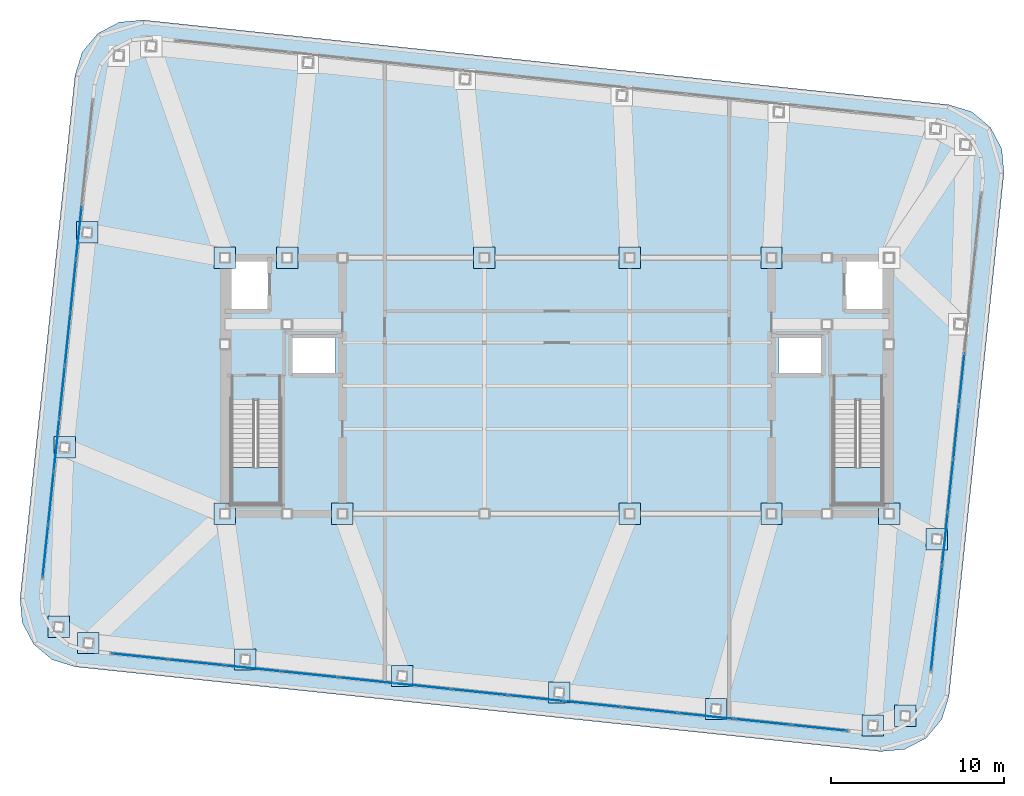
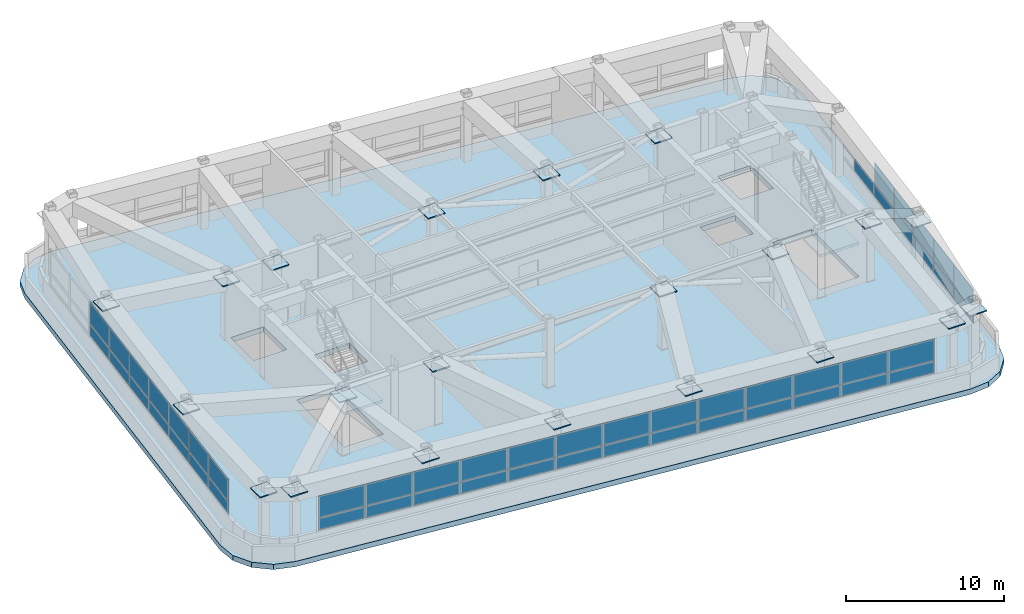
# One storey, part 17 of 22: 72 plates, 3 slabs, 5 elements without a shape of their own.
"""IFC4 building model written with IfcOpenShell, lengths in metres."""

from ifc_helpers import new_model, si_unit, direction, frame, origin, origin_2d, place, context, subcontext, project, spatial, polyline, rectangle, outline, extrude, material, layer, layer_set, type_object, element, aggregate, save


model = new_model("IFC4")

# Units and contexts
model_context = context("Model", 3, precision=1e-05, world=origin(), true_north=direction((0.0, 1.0)))
body_context = subcontext(model_context, "Body", "Model", "MODEL_VIEW")
ifc_project = project(units=[si_unit("LENGTHUNIT", "METRE"), si_unit("AREAUNIT", "SQUARE_METRE"), si_unit("VOLUMEUNIT", "CUBIC_METRE"), si_unit("PLANEANGLEUNIT", "RADIAN"), si_unit("MASSUNIT", "GRAM", prefix="KILO")], contexts=[model_context])

# Site, building, storey
site_placement = place(None, origin())
site = spatial("IfcSite", under=ifc_project, at=site_placement, CompositionType="ELEMENT")
building_placement = place(site_placement, origin())
building = spatial("IfcBuilding", under=site, at=building_placement, Name="Voryun Gate Residences", CompositionType="ELEMENT")
storey_placement = place(building_placement, frame((0.0, 0.0, 310.699951171875)))
storey = spatial("IfcBuildingStorey", under=building, at=storey_placement, Name="L77", CompositionType="ELEMENT", Elevation=310.699951171875)

# Plates
ifc_material_1 = material(Name="Steel SM355", Category="steel")
ifc_layer_1 = layer(ifc_material_1, 0.02490234375, Name="PLT_END_CAP_25")
ifc_layer_set_1 = layer_set([ifc_layer_1], Name="Steel SM355")
plate_type_1 = type_object("IfcPlateType", Name="PLT_END_CAP_25", PredefinedType="USERDEFINED", material=ifc_layer_set_1)
for number, where, z_axis, x_axis, name in (
    (1, (-27.088623046875, -14.87158203125, 4.43505859375), (0.0, 0.0, 1.0), (1.0, 0.0, 0.0), "L77 Hollow Member End-Cap Plate EC-913"),
    (2, (-18.0185546875, -15.824951171875, 4.43505859375), (0.0, 0.0, 1.0), (1.0, 0.0, 0.0), "L77 Hollow Member End-Cap Plate EC-914"),
    (3, (-8.948486328125, -16.7783203125, 4.43505859375), (0.0, 0.0, 1.0), (1.0, 0.0, 0.0), "L77 Hollow Member End-Cap Plate EC-915"),
    (4, (0.12158203125, -17.731689453125, 4.43505859375), (0.0, 0.0, 1.0), (1.0, 0.0, 0.0), "L77 Hollow Member End-Cap Plate EC-916"),
    (5, (9.19140625, -18.684814453125, 4.43505859375), (0.0, 0.0, 1.0), (1.0, 0.0, 0.0), "L77 Hollow Member End-Cap Plate EC-917"),
    (6, (18.261474609375, -19.63818359375, 4.43505859375), (0.0, 0.0, 1.0), (1.0, 0.0, 0.0), "L77 Hollow Member End-Cap Plate EC-918"),
    (7, (20.1328125, -19.083984375, 4.43505859375), (0.0, 0.0, 1.0), (1.0, 0.0, 0.0), "L77 Hollow Member End-Cap Plate EC-919"),
    (8, (21.958251953125, -8.861572265625, 4.43505859375), (0.0, 0.0, 1.0), (1.0, 0.0, 0.0), "L77 Hollow Member End-Cap Plate EC-920"),
    (9, (-27.158203125, 8.861572265625, 4.43505859375), (0.0, 0.0, 1.0), (1.0, 0.0, 0.0), "L77 Hollow Member End-Cap Plate EC-930"),
    (10, (-28.464111328125, -3.56201171875, 4.43505859375), (0.0, 0.0, 1.0), (1.0, 0.0, 0.0), "L77 Hollow Member End-Cap Plate EC-931"),
    (11, (-28.8037109375, -13.9404296875, 4.43505859375), (0.0, 0.0, 1.0), (1.0, 0.0, 0.0), "L77 Hollow Member End-Cap Plate EC-932"),
    (12, (-19.199951171875, -7.39990234375, 4.43505859375), (0.0, 0.0, 1.0), (1.0, 0.0, 0.0), "L77 Hollow Member End-Cap Plate EC-933"),
    (13, (-12.39990234375, -7.39990234375, 4.43505859375), (0.0, 0.0, 1.0), (1.0, 0.0, 0.0), "L77 Hollow Member End-Cap Plate EC-934"),
    (14, (4.199951171875, -7.39990234375, 4.43505859375), (0.0, 0.0, 1.0), (1.0, 0.0, 0.0), "L77 Hollow Member End-Cap Plate EC-935"),
    (15, (12.39990234375, -7.39990234375, 4.43505859375), (0.0, 0.0, 1.0), (1.0, 0.0, 0.0), "L77 Hollow Member End-Cap Plate EC-936"),
    (16, (19.199951171875, -7.39990234375, 4.43505859375), (0.0, 0.0, 1.0), (1.0, 0.0, 0.0), "L77 Hollow Member End-Cap Plate EC-937"),
    (17, (12.39990234375, 7.39990234375, 4.43505859375), (0.0, 0.0, 1.0), (1.0, 0.0, 0.0), "L77 Hollow Member End-Cap Plate EC-939"),
    (18, (4.199951171875, 7.39990234375, 4.43505859375), (0.0, 0.0, 1.0), (1.0, 0.0, 0.0), "L77 Hollow Member End-Cap Plate EC-940"),
    (19, (-4.199951171875, 7.39990234375, 4.43505859375), (0.0, 0.0, 1.0), (1.0, 0.0, 0.0), "L77 Hollow Member End-Cap Plate EC-941"),
    (20, (-15.60009765625, 7.39990234375, 4.43505859375), (0.0, 0.0, 1.0), (1.0, 0.0, 0.0), "L77 Hollow Member End-Cap Plate EC-942"),
    (21, (-19.199951171875, 7.39990234375, 4.43505859375), (0.0, 0.0, 1.0), (1.0, 0.0, 0.0), "L77 Hollow Member End-Cap Plate EC-943"),
):
    element("IfcPlate", number, at=place(storey_placement, frame(where, z_axis=z_axis, x_axis=x_axis)), inside=storey, type_object=plate_type_1, Name=name, ObjectType="BASE_PLATE", PredefinedType="USERDEFINED", context=body_context, shape_type="SweptSolid", body=[
        extrude(rectangle(XDim=1.239990234375, YDim=1.239990234375, at=origin_2d()), origin(), (0.0, 0.0, 1.0), 0.080078125),
    ])

# Curtain wall, plates
ifc_material_2 = material(Name="Anodised aluminium", Category="aluminium")
ifc_layer_2 = layer(ifc_material_2, 0.22998046875, Name="CW_SYS_LANTERN_DARK_GLASS")
ifc_layer_set_2 = layer_set([ifc_layer_2], Name="Anodised aluminium")
curtain_wall_type = type_object("IfcCurtainWallType", Name="CW_SYS_LANTERN_DARK_GLASS", PredefinedType="NOTDEFINED", material=ifc_layer_set_2)
curtain_wall_1_placement = place(storey_placement, origin())
curtain_wall_1 = element("IfcCurtainWall", 22, at=curtain_wall_1_placement, inside=storey, type_object=curtain_wall_type, Name="Curtain wall CW6-L77-01", PredefinedType="NOTDEFINED")
ifc_material_3 = material(Name="Fritted lantern glass", Category="glass")
ifc_layer_3 = layer(ifc_material_3, 0.050048828125, Name="PLT_GLASS_FRIT_LANTERN")
ifc_layer_set_3 = layer_set([ifc_layer_3], Name="Fritted lantern glass")
plate_type_2 = type_object("IfcPlateType", Name="PLT_GLASS_FRIT_LANTERN", PredefinedType="CURTAIN_PANEL", material=ifc_layer_set_3)
plate_1_placement = place(storey_placement, frame((15.18212890625, -19.787109375, 1.25), z_axis=(0.0, 0.0, 1.0), x_axis=(-0.994521969434, 0.10452775858, 0.0)))
plate_1 = element("IfcPlate", 23, at=plate_1_placement, type_object=plate_type_2, Name="CW6 panel 1.1", PredefinedType="CURTAIN_PANEL", context=body_context, shape_type="SweptSolid", body=[
    extrude(rectangle(XDim=3.20458984375, YDim=0.028076171875, at=origin_2d()), origin(), (0.0, 0.0, 1.0), 0.89111328125),
])
plate_2_placement = place(storey_placement, frame((15.18212890625, -19.787109375, 2.201171875), z_axis=(0.0, 0.0, 1.0), x_axis=(-0.994521969434, 0.10452775858, 0.0)))
plate_2 = element("IfcPlate", 24, at=plate_2_placement, type_object=plate_type_2, Name="CW6 panel 1.2", PredefinedType="CURTAIN_PANEL", context=body_context, shape_type="SweptSolid", body=[
    extrude(rectangle(XDim=3.20458984375, YDim=0.028076171875, at=origin_2d()), origin(), (0.0, 0.0, 1.0), 1.654052734375),
])
plate_3_placement = place(storey_placement, frame((11.92041015625, -19.4443359375, 1.25), z_axis=(0.0, 0.0, 1.0), x_axis=(-0.994521969434, 0.10452775858, 0.0)))
plate_3 = element("IfcPlate", 25, at=plate_3_placement, type_object=plate_type_2, Name="CW6 panel 2.1", PredefinedType="CURTAIN_PANEL", context=body_context, shape_type="SweptSolid", body=[
    extrude(rectangle(XDim=3.234619140625, YDim=0.028076171875, at=origin_2d()), origin(), (0.0, 0.0, 1.0), 0.89111328125),
])
plate_4_placement = place(storey_placement, frame((11.92041015625, -19.4443359375, 2.201171875), z_axis=(0.0, 0.0, 1.0), x_axis=(-0.994521969434, 0.10452775858, 0.0)))
plate_4 = element("IfcPlate", 26, at=plate_4_placement, type_object=plate_type_2, Name="CW6 panel 2.2", PredefinedType="CURTAIN_PANEL", context=body_context, shape_type="SweptSolid", body=[
    extrude(rectangle(XDim=3.234619140625, YDim=0.028076171875, at=origin_2d()), origin(), (0.0, 0.0, 1.0), 1.654052734375),
])
plate_5_placement = place(storey_placement, frame((8.643798828125, -19.099853515625, 1.25), z_axis=(0.0, 0.0, 1.0), x_axis=(-0.994521969434, 0.10452775858, 0.0)))
plate_5 = element("IfcPlate", 27, at=plate_5_placement, type_object=plate_type_2, Name="CW6 panel 3.1", PredefinedType="CURTAIN_PANEL", context=body_context, shape_type="SweptSolid", body=[
    extrude(rectangle(XDim=3.234619140625, YDim=0.028076171875, at=origin_2d()), origin(), (0.0, 0.0, 1.0), 0.89111328125),
])
plate_6_placement = place(storey_placement, frame((8.643798828125, -19.099853515625, 2.201171875), z_axis=(0.0, 0.0, 1.0), x_axis=(-0.994521969434, 0.10452775858, 0.0)))
plate_6 = element("IfcPlate", 28, at=plate_6_placement, type_object=plate_type_2, Name="CW6 panel 3.2", PredefinedType="CURTAIN_PANEL", context=body_context, shape_type="SweptSolid", body=[
    extrude(rectangle(XDim=3.234619140625, YDim=0.028076171875, at=origin_2d()), origin(), (0.0, 0.0, 1.0), 1.654052734375),
])
plate_7_placement = place(storey_placement, frame((5.3671875, -18.755615234375, 1.25), z_axis=(0.0, 0.0, 1.0), x_axis=(-0.994521969434, 0.10452775858, 0.0)))
plate_7 = element("IfcPlate", 29, at=plate_7_placement, type_object=plate_type_2, Name="CW6 panel 4.1", PredefinedType="CURTAIN_PANEL", context=body_context, shape_type="SweptSolid", body=[
    extrude(rectangle(XDim=3.234619140625, YDim=0.028076171875, at=origin_2d()), origin(), (0.0, 0.0, 1.0), 0.89111328125),
])
plate_8_placement = place(storey_placement, frame((5.3671875, -18.755615234375, 2.201171875), z_axis=(0.0, 0.0, 1.0), x_axis=(-0.994521969434, 0.10452775858, 0.0)))
plate_8 = element("IfcPlate", 30, at=plate_8_placement, type_object=plate_type_2, Name="CW6 panel 4.2", PredefinedType="CURTAIN_PANEL", context=body_context, shape_type="SweptSolid", body=[
    extrude(rectangle(XDim=3.234619140625, YDim=0.028076171875, at=origin_2d()), origin(), (0.0, 0.0, 1.0), 1.654052734375),
])
plate_9_placement = place(storey_placement, frame((2.090576171875, -18.4111328125, 1.25), z_axis=(0.0, 0.0, 1.0), x_axis=(-0.994521969434, 0.10452775858, 0.0)))
plate_9 = element("IfcPlate", 31, at=plate_9_placement, type_object=plate_type_2, Name="CW6 panel 5.1", PredefinedType="CURTAIN_PANEL", context=body_context, shape_type="SweptSolid", body=[
    extrude(rectangle(XDim=3.234619140625, YDim=0.028076171875, at=origin_2d()), origin(), (0.0, 0.0, 1.0), 0.89111328125),
])
plate_10_placement = place(storey_placement, frame((2.090576171875, -18.4111328125, 2.201171875), z_axis=(0.0, 0.0, 1.0), x_axis=(-0.994521969434, 0.10452775858, 0.0)))
plate_10 = element("IfcPlate", 32, at=plate_10_placement, type_object=plate_type_2, Name="CW6 panel 5.2", PredefinedType="CURTAIN_PANEL", context=body_context, shape_type="SweptSolid", body=[
    extrude(rectangle(XDim=3.234619140625, YDim=0.028076171875, at=origin_2d()), origin(), (0.0, 0.0, 1.0), 1.654052734375),
])
plate_11_placement = place(storey_placement, frame((-1.18603515625, -18.06689453125, 1.25), z_axis=(0.0, 0.0, 1.0), x_axis=(-0.994521969434, 0.10452775858, 0.0)))
plate_11 = element("IfcPlate", 33, at=plate_11_placement, type_object=plate_type_2, Name="CW6 panel 6.1", PredefinedType="CURTAIN_PANEL", context=body_context, shape_type="SweptSolid", body=[
    extrude(rectangle(XDim=3.234619140625, YDim=0.028076171875, at=origin_2d()), origin(), (0.0, 0.0, 1.0), 0.89111328125),
])
plate_12_placement = place(storey_placement, frame((-1.18603515625, -18.06689453125, 2.201171875), z_axis=(0.0, 0.0, 1.0), x_axis=(-0.994521969434, 0.10452775858, 0.0)))
plate_12 = element("IfcPlate", 34, at=plate_12_placement, type_object=plate_type_2, Name="CW6 panel 6.2", PredefinedType="CURTAIN_PANEL", context=body_context, shape_type="SweptSolid", body=[
    extrude(rectangle(XDim=3.234619140625, YDim=0.028076171875, at=origin_2d()), origin(), (0.0, 0.0, 1.0), 1.654052734375),
])
plate_13_placement = place(storey_placement, frame((-4.462646484375, -17.722412109375, 1.25), z_axis=(0.0, 0.0, 1.0), x_axis=(-0.994521969434, 0.10452775858, 0.0)))
plate_13 = element("IfcPlate", 35, at=plate_13_placement, type_object=plate_type_2, Name="CW6 panel 7.1", PredefinedType="CURTAIN_PANEL", context=body_context, shape_type="SweptSolid", body=[
    extrude(rectangle(XDim=3.234619140625, YDim=0.028076171875, at=origin_2d()), origin(), (0.0, 0.0, 1.0), 0.89111328125),
])
plate_14_placement = place(storey_placement, frame((-4.462646484375, -17.722412109375, 2.201171875), z_axis=(0.0, 0.0, 1.0), x_axis=(-0.994521969434, 0.10452775858, 0.0)))
plate_14 = element("IfcPlate", 36, at=plate_14_placement, type_object=plate_type_2, Name="CW6 panel 7.2", PredefinedType="CURTAIN_PANEL", context=body_context, shape_type="SweptSolid", body=[
    extrude(rectangle(XDim=3.234619140625, YDim=0.028076171875, at=origin_2d()), origin(), (0.0, 0.0, 1.0), 1.654052734375),
])
plate_15_placement = place(storey_placement, frame((-7.7392578125, -17.3779296875, 1.25), z_axis=(0.0, 0.0, 1.0), x_axis=(-0.994521969434, 0.10452775858, 0.0)))
plate_15 = element("IfcPlate", 37, at=plate_15_placement, type_object=plate_type_2, Name="CW6 panel 8.1", PredefinedType="CURTAIN_PANEL", context=body_context, shape_type="SweptSolid", body=[
    extrude(rectangle(XDim=3.234619140625, YDim=0.028076171875, at=origin_2d()), origin(), (0.0, 0.0, 1.0), 0.89111328125),
])
plate_16_placement = place(storey_placement, frame((-7.7392578125, -17.3779296875, 2.201171875), z_axis=(0.0, 0.0, 1.0), x_axis=(-0.994521969434, 0.10452775858, 0.0)))
plate_16 = element("IfcPlate", 38, at=plate_16_placement, type_object=plate_type_2, Name="CW6 panel 8.2", PredefinedType="CURTAIN_PANEL", context=body_context, shape_type="SweptSolid", body=[
    extrude(rectangle(XDim=3.234619140625, YDim=0.028076171875, at=origin_2d()), origin(), (0.0, 0.0, 1.0), 1.654052734375),
])
plate_17_placement = place(storey_placement, frame((-11.015869140625, -17.03369140625, 1.25), z_axis=(0.0, 0.0, 1.0), x_axis=(-0.994521969434, 0.10452775858, 0.0)))
plate_17 = element("IfcPlate", 39, at=plate_17_placement, type_object=plate_type_2, Name="CW6 panel 9.1", PredefinedType="CURTAIN_PANEL", context=body_context, shape_type="SweptSolid", body=[
    extrude(rectangle(XDim=3.234619140625, YDim=0.028076171875, at=origin_2d()), origin(), (0.0, 0.0, 1.0), 0.89111328125),
])
plate_18_placement = place(storey_placement, frame((-11.015869140625, -17.03369140625, 2.201171875), z_axis=(0.0, 0.0, 1.0), x_axis=(-0.994521969434, 0.10452775858, 0.0)))
plate_18 = element("IfcPlate", 40, at=plate_18_placement, type_object=plate_type_2, Name="CW6 panel 9.2", PredefinedType="CURTAIN_PANEL", context=body_context, shape_type="SweptSolid", body=[
    extrude(rectangle(XDim=3.234619140625, YDim=0.028076171875, at=origin_2d()), origin(), (0.0, 0.0, 1.0), 1.654052734375),
])
plate_19_placement = place(storey_placement, frame((-14.29248046875, -16.689208984375, 1.25), z_axis=(0.0, 0.0, 1.0), x_axis=(-0.994521969434, 0.10452775858, 0.0)))
plate_19 = element("IfcPlate", 41, at=plate_19_placement, type_object=plate_type_2, Name="CW6 panel 10.1", PredefinedType="CURTAIN_PANEL", context=body_context, shape_type="SweptSolid", body=[
    extrude(rectangle(XDim=3.234619140625, YDim=0.028076171875, at=origin_2d()), origin(), (0.0, 0.0, 1.0), 0.89111328125),
])
plate_20_placement = place(storey_placement, frame((-14.29248046875, -16.689208984375, 2.201171875), z_axis=(0.0, 0.0, 1.0), x_axis=(-0.994521969434, 0.10452775858, 0.0)))
plate_20 = element("IfcPlate", 42, at=plate_20_placement, type_object=plate_type_2, Name="CW6 panel 10.2", PredefinedType="CURTAIN_PANEL", context=body_context, shape_type="SweptSolid", body=[
    extrude(rectangle(XDim=3.234619140625, YDim=0.028076171875, at=origin_2d()), origin(), (0.0, 0.0, 1.0), 1.654052734375),
])
plate_21_placement = place(storey_placement, frame((-17.569091796875, -16.344970703125, 1.25), z_axis=(0.0, 0.0, 1.0), x_axis=(-0.994521969434, 0.10452775858, 0.0)))
plate_21 = element("IfcPlate", 43, at=plate_21_placement, type_object=plate_type_2, Name="CW6 panel 11.1", PredefinedType="CURTAIN_PANEL", context=body_context, shape_type="SweptSolid", body=[
    extrude(rectangle(XDim=3.234619140625, YDim=0.028076171875, at=origin_2d()), origin(), (0.0, 0.0, 1.0), 0.89111328125),
])
plate_22_placement = place(storey_placement, frame((-17.569091796875, -16.344970703125, 2.201171875), z_axis=(0.0, 0.0, 1.0), x_axis=(-0.994521969434, 0.10452775858, 0.0)))
plate_22 = element("IfcPlate", 44, at=plate_22_placement, type_object=plate_type_2, Name="CW6 panel 11.2", PredefinedType="CURTAIN_PANEL", context=body_context, shape_type="SweptSolid", body=[
    extrude(rectangle(XDim=3.234619140625, YDim=0.028076171875, at=origin_2d()), origin(), (0.0, 0.0, 1.0), 1.654052734375),
])
plate_23_placement = place(storey_placement, frame((-20.845703125, -16.00048828125, 1.25), z_axis=(0.0, 0.0, 1.0), x_axis=(-0.994521969434, 0.10452775858, 0.0)))
plate_23 = element("IfcPlate", 45, at=plate_23_placement, type_object=plate_type_2, Name="CW6 panel 12.1", PredefinedType="CURTAIN_PANEL", context=body_context, shape_type="SweptSolid", body=[
    extrude(rectangle(XDim=3.234619140625, YDim=0.028076171875, at=origin_2d()), origin(), (0.0, 0.0, 1.0), 0.89111328125),
])
plate_24_placement = place(storey_placement, frame((-20.845703125, -16.00048828125, 2.201171875), z_axis=(0.0, 0.0, 1.0), x_axis=(-0.994521969434, 0.10452775858, 0.0)))
plate_24 = element("IfcPlate", 46, at=plate_24_placement, type_object=plate_type_2, Name="CW6 panel 12.2", PredefinedType="CURTAIN_PANEL", context=body_context, shape_type="SweptSolid", body=[
    extrude(rectangle(XDim=3.234619140625, YDim=0.028076171875, at=origin_2d()), origin(), (0.0, 0.0, 1.0), 1.654052734375),
])
plate_25_placement = place(storey_placement, frame((-24.107421875, -15.65771484375, 1.25), z_axis=(0.0, 0.0, 1.0), x_axis=(-0.994521969434, 0.10452775858, 0.0)))
plate_25 = element("IfcPlate", 47, at=plate_25_placement, type_object=plate_type_2, Name="CW6 panel 13.1", PredefinedType="CURTAIN_PANEL", context=body_context, shape_type="SweptSolid", body=[
    extrude(rectangle(XDim=3.20458984375, YDim=0.028076171875, at=origin_2d()), origin(), (0.0, 0.0, 1.0), 0.89111328125),
])
plate_26_placement = place(storey_placement, frame((-24.107421875, -15.65771484375, 2.201171875), z_axis=(0.0, 0.0, 1.0), x_axis=(-0.994521969434, 0.10452775858, 0.0)))
plate_26 = element("IfcPlate", 48, at=plate_26_placement, type_object=plate_type_2, Name="CW6 panel 13.2", PredefinedType="CURTAIN_PANEL", context=body_context, shape_type="SweptSolid", body=[
    extrude(rectangle(XDim=3.20458984375, YDim=0.028076171875, at=origin_2d()), origin(), (0.0, 0.0, 1.0), 1.654052734375),
])
aggregate(curtain_wall_1, [plate_1, plate_2, plate_3, plate_4, plate_5, plate_6, plate_7, plate_8, plate_9, plate_10, plate_11, plate_12, plate_13, plate_14, plate_15, plate_16, plate_17, plate_18, plate_19, plate_20, plate_21, plate_22, plate_23, plate_24, plate_25, plate_26])

curtain_wall_2_placement = place(storey_placement, origin())
curtain_wall_2 = element("IfcCurtainWall", 49, at=curtain_wall_2_placement, inside=storey, type_object=curtain_wall_type, Name="Curtain wall CW6-L77-06", PredefinedType="NOTDEFINED")
plate_27_placement = place(storey_placement, frame((-29.568115234375, -9.56982421875, 1.25), z_axis=(0.0, 0.0, 1.0), x_axis=(0.104528004296, 0.994521943608, 0.0)))
plate_27 = element("IfcPlate", 50, at=plate_27_placement, type_object=plate_type_2, Name="CW6 panel 1.1", PredefinedType="CURTAIN_PANEL", context=body_context, shape_type="SweptSolid", body=[
    extrude(rectangle(XDim=2.997802734375, YDim=0.028076171875, at=origin_2d()), origin(), (0.0, 0.0, 1.0), 0.89111328125),
])
plate_28_placement = place(storey_placement, frame((-29.568115234375, -9.56982421875, 2.201171875), z_axis=(0.0, 0.0, 1.0), x_axis=(0.104528004296, 0.994521943608, 0.0)))
plate_28 = element("IfcPlate", 51, at=plate_28_placement, type_object=plate_type_2, Name="CW6 panel 1.2", PredefinedType="CURTAIN_PANEL", context=body_context, shape_type="SweptSolid", body=[
    extrude(rectangle(XDim=2.997802734375, YDim=0.028076171875, at=origin_2d()), origin(), (0.0, 0.0, 1.0), 1.654052734375),
])
plate_29_placement = place(storey_placement, frame((-29.246826171875, -6.513916015625, 1.25), z_axis=(0.0, 0.0, 1.0), x_axis=(0.104528004296, 0.994521943608, 0.0)))
plate_29 = element("IfcPlate", 52, at=plate_29_placement, type_object=plate_type_2, Name="CW6 panel 2.1", PredefinedType="CURTAIN_PANEL", context=body_context, shape_type="SweptSolid", body=[
    extrude(rectangle(XDim=3.02783203125, YDim=0.028076171875, at=origin_2d()), origin(), (0.0, 0.0, 1.0), 0.89111328125),
])
plate_30_placement = place(storey_placement, frame((-29.246826171875, -6.513916015625, 2.201171875), z_axis=(0.0, 0.0, 1.0), x_axis=(0.104528004296, 0.994521943608, 0.0)))
plate_30 = element("IfcPlate", 53, at=plate_30_placement, type_object=plate_type_2, Name="CW6 panel 2.2", PredefinedType="CURTAIN_PANEL", context=body_context, shape_type="SweptSolid", body=[
    extrude(rectangle(XDim=3.02783203125, YDim=0.028076171875, at=origin_2d()), origin(), (0.0, 0.0, 1.0), 1.654052734375),
])
plate_31_placement = place(storey_placement, frame((-28.924072265625, -3.44287109375, 1.25), z_axis=(0.0, 0.0, 1.0), x_axis=(0.104528004296, 0.994521943608, 0.0)))
plate_31 = element("IfcPlate", 54, at=plate_31_placement, type_object=plate_type_2, Name="CW6 panel 3.1", PredefinedType="CURTAIN_PANEL", context=body_context, shape_type="SweptSolid", body=[
    extrude(rectangle(XDim=3.02783203125, YDim=0.028076171875, at=origin_2d()), origin(), (0.0, 0.0, 1.0), 0.89111328125),
])
plate_32_placement = place(storey_placement, frame((-28.924072265625, -3.44287109375, 2.201171875), z_axis=(0.0, 0.0, 1.0), x_axis=(0.104528004296, 0.994521943608, 0.0)))
plate_32 = element("IfcPlate", 55, at=plate_32_placement, type_object=plate_type_2, Name="CW6 panel 3.2", PredefinedType="CURTAIN_PANEL", context=body_context, shape_type="SweptSolid", body=[
    extrude(rectangle(XDim=3.02783203125, YDim=0.028076171875, at=origin_2d()), origin(), (0.0, 0.0, 1.0), 1.654052734375),
])
plate_33_placement = place(storey_placement, frame((-28.601318359375, -0.3720703125, 1.25), z_axis=(0.0, 0.0, 1.0), x_axis=(0.104528004296, 0.994521943608, 0.0)))
plate_33 = element("IfcPlate", 56, at=plate_33_placement, type_object=plate_type_2, Name="CW6 panel 4.1", PredefinedType="CURTAIN_PANEL", context=body_context, shape_type="SweptSolid", body=[
    extrude(rectangle(XDim=3.02783203125, YDim=0.028076171875, at=origin_2d()), origin(), (0.0, 0.0, 1.0), 0.89111328125),
])
plate_34_placement = place(storey_placement, frame((-28.601318359375, -0.3720703125, 2.201171875), z_axis=(0.0, 0.0, 1.0), x_axis=(0.104528004296, 0.994521943608, 0.0)))
plate_34 = element("IfcPlate", 57, at=plate_34_placement, type_object=plate_type_2, Name="CW6 panel 4.2", PredefinedType="CURTAIN_PANEL", context=body_context, shape_type="SweptSolid", body=[
    extrude(rectangle(XDim=3.02783203125, YDim=0.028076171875, at=origin_2d()), origin(), (0.0, 0.0, 1.0), 1.654052734375),
])
plate_35_placement = place(storey_placement, frame((-28.278564453125, 2.698974609375, 1.25), z_axis=(0.0, 0.0, 1.0), x_axis=(0.104528004296, 0.994521943608, 0.0)))
plate_35 = element("IfcPlate", 58, at=plate_35_placement, type_object=plate_type_2, Name="CW6 panel 5.1", PredefinedType="CURTAIN_PANEL", context=body_context, shape_type="SweptSolid", body=[
    extrude(rectangle(XDim=3.02783203125, YDim=0.028076171875, at=origin_2d()), origin(), (0.0, 0.0, 1.0), 0.89111328125),
])
plate_36_placement = place(storey_placement, frame((-28.278564453125, 2.698974609375, 2.201171875), z_axis=(0.0, 0.0, 1.0), x_axis=(0.104528004296, 0.994521943608, 0.0)))
plate_36 = element("IfcPlate", 59, at=plate_36_placement, type_object=plate_type_2, Name="CW6 panel 5.2", PredefinedType="CURTAIN_PANEL", context=body_context, shape_type="SweptSolid", body=[
    extrude(rectangle(XDim=3.02783203125, YDim=0.028076171875, at=origin_2d()), origin(), (0.0, 0.0, 1.0), 1.654052734375),
])
plate_37_placement = place(storey_placement, frame((-27.955810546875, 5.769775390625, 1.25), z_axis=(0.0, 0.0, 1.0), x_axis=(0.104528004296, 0.994521943608, 0.0)))
plate_37 = element("IfcPlate", 60, at=plate_37_placement, type_object=plate_type_2, Name="CW6 panel 6.1", PredefinedType="CURTAIN_PANEL", context=body_context, shape_type="SweptSolid", body=[
    extrude(rectangle(XDim=3.02783203125, YDim=0.028076171875, at=origin_2d()), origin(), (0.0, 0.0, 1.0), 0.89111328125),
])
plate_38_placement = place(storey_placement, frame((-27.955810546875, 5.769775390625, 2.201171875), z_axis=(0.0, 0.0, 1.0), x_axis=(0.104528004296, 0.994521943608, 0.0)))
plate_38 = element("IfcPlate", 61, at=plate_38_placement, type_object=plate_type_2, Name="CW6 panel 6.2", PredefinedType="CURTAIN_PANEL", context=body_context, shape_type="SweptSolid", body=[
    extrude(rectangle(XDim=3.02783203125, YDim=0.028076171875, at=origin_2d()), origin(), (0.0, 0.0, 1.0), 1.654052734375),
])
plate_39_placement = place(storey_placement, frame((-27.633056640625, 8.8408203125, 1.25), z_axis=(0.0, 0.0, 1.0), x_axis=(0.104528004296, 0.994521943608, 0.0)))
plate_39 = element("IfcPlate", 62, at=plate_39_placement, type_object=plate_type_2, Name="CW6 panel 7.1", PredefinedType="CURTAIN_PANEL", context=body_context, shape_type="SweptSolid", body=[
    extrude(rectangle(XDim=3.02783203125, YDim=0.028076171875, at=origin_2d()), origin(), (0.0, 0.0, 1.0), 0.89111328125),
])
plate_40_placement = place(storey_placement, frame((-27.633056640625, 8.8408203125, 2.201171875), z_axis=(0.0, 0.0, 1.0), x_axis=(0.104528004296, 0.994521943608, 0.0)))
plate_40 = element("IfcPlate", 63, at=plate_40_placement, type_object=plate_type_2, Name="CW6 panel 7.2", PredefinedType="CURTAIN_PANEL", context=body_context, shape_type="SweptSolid", body=[
    extrude(rectangle(XDim=3.02783203125, YDim=0.028076171875, at=origin_2d()), origin(), (0.0, 0.0, 1.0), 1.654052734375),
])
aggregate(curtain_wall_2, [plate_27, plate_28, plate_29, plate_30, plate_31, plate_32, plate_33, plate_34, plate_35, plate_36, plate_37, plate_38, plate_39, plate_40])

curtain_wall_3_placement = place(storey_placement, origin())
curtain_wall_3 = element("IfcCurtainWall", 64, at=curtain_wall_3_placement, inside=storey, type_object=curtain_wall_type, Name="Curtain wall CW6-L77-16", PredefinedType="NOTDEFINED")
plate_41_placement = place(storey_placement, frame((23.4013671875, 0.3720703125, 1.25), z_axis=(0.0, 0.0, 1.0), x_axis=(-0.104528004296, -0.994521943608, 0.0)))
plate_41 = element("IfcPlate", 65, at=plate_41_placement, type_object=plate_type_2, Name="CW6 panel 4.1", PredefinedType="CURTAIN_PANEL", context=body_context, shape_type="SweptSolid", body=[
    extrude(rectangle(XDim=3.02783203125, YDim=0.028076171875, at=origin_2d()), origin(), (0.0, 0.0, 1.0), 0.89111328125),
])
plate_42_placement = place(storey_placement, frame((23.07861328125, -2.698974609375, 1.25), z_axis=(0.0, 0.0, 1.0), x_axis=(-0.104528004296, -0.994521943608, 0.0)))
plate_42 = element("IfcPlate", 66, at=plate_42_placement, type_object=plate_type_2, Name="CW6 panel 5.1", PredefinedType="CURTAIN_PANEL", context=body_context, shape_type="SweptSolid", body=[
    extrude(rectangle(XDim=3.02783203125, YDim=0.028076171875, at=origin_2d()), origin(), (0.0, 0.0, 1.0), 0.89111328125),
])
plate_43_placement = place(storey_placement, frame((23.07861328125, -2.698974609375, 2.201171875), z_axis=(0.0, 0.0, 1.0), x_axis=(-0.104528004296, -0.994521943608, 0.0)))
plate_43 = element("IfcPlate", 67, at=plate_43_placement, type_object=plate_type_2, Name="CW6 panel 5.2", PredefinedType="CURTAIN_PANEL", context=body_context, shape_type="SweptSolid", body=[
    extrude(rectangle(XDim=3.02783203125, YDim=0.028076171875, at=origin_2d()), origin(), (0.0, 0.0, 1.0), 1.654052734375),
])
plate_44_placement = place(storey_placement, frame((22.755859375, -5.769775390625, 1.25), z_axis=(0.0, 0.0, 1.0), x_axis=(-0.104528004296, -0.994521943608, 0.0)))
plate_44 = element("IfcPlate", 68, at=plate_44_placement, type_object=plate_type_2, Name="CW6 panel 6.1", PredefinedType="CURTAIN_PANEL", context=body_context, shape_type="SweptSolid", body=[
    extrude(rectangle(XDim=3.02783203125, YDim=0.028076171875, at=origin_2d()), origin(), (0.0, 0.0, 1.0), 0.89111328125),
])
plate_45_placement = place(storey_placement, frame((22.755859375, -5.769775390625, 2.201171875), z_axis=(0.0, 0.0, 1.0), x_axis=(-0.104528004296, -0.994521943608, 0.0)))
plate_45 = element("IfcPlate", 69, at=plate_45_placement, type_object=plate_type_2, Name="CW6 panel 6.2", PredefinedType="CURTAIN_PANEL", context=body_context, shape_type="SweptSolid", body=[
    extrude(rectangle(XDim=3.02783203125, YDim=0.028076171875, at=origin_2d()), origin(), (0.0, 0.0, 1.0), 1.654052734375),
])
plate_46_placement = place(storey_placement, frame((22.43310546875, -8.8408203125, 1.25), z_axis=(0.0, 0.0, 1.0), x_axis=(-0.104528004296, -0.994521943608, 0.0)))
plate_46 = element("IfcPlate", 70, at=plate_46_placement, type_object=plate_type_2, Name="CW6 panel 7.1", PredefinedType="CURTAIN_PANEL", context=body_context, shape_type="SweptSolid", body=[
    extrude(rectangle(XDim=3.02783203125, YDim=0.028076171875, at=origin_2d()), origin(), (0.0, 0.0, 1.0), 0.89111328125),
])
plate_47_placement = place(storey_placement, frame((22.43310546875, -8.8408203125, 2.201171875), z_axis=(0.0, 0.0, 1.0), x_axis=(-0.104528004296, -0.994521943608, 0.0)))
plate_47 = element("IfcPlate", 71, at=plate_47_placement, type_object=plate_type_2, Name="CW6 panel 7.2", PredefinedType="CURTAIN_PANEL", context=body_context, shape_type="SweptSolid", body=[
    extrude(rectangle(XDim=3.02783203125, YDim=0.028076171875, at=origin_2d()), origin(), (0.0, 0.0, 1.0), 1.654052734375),
])
plate_48_placement = place(storey_placement, frame((22.1103515625, -11.91162109375, 1.25), z_axis=(0.0, 0.0, 1.0), x_axis=(-0.104528004296, -0.994521943608, 0.0)))
plate_48 = element("IfcPlate", 72, at=plate_48_placement, type_object=plate_type_2, Name="CW6 panel 8.1", PredefinedType="CURTAIN_PANEL", context=body_context, shape_type="SweptSolid", body=[
    extrude(rectangle(XDim=3.02783203125, YDim=0.028076171875, at=origin_2d()), origin(), (0.0, 0.0, 1.0), 0.89111328125),
])
plate_49_placement = place(storey_placement, frame((22.1103515625, -11.91162109375, 2.201171875), z_axis=(0.0, 0.0, 1.0), x_axis=(-0.104528004296, -0.994521943608, 0.0)))
plate_49 = element("IfcPlate", 73, at=plate_49_placement, type_object=plate_type_2, Name="CW6 panel 8.2", PredefinedType="CURTAIN_PANEL", context=body_context, shape_type="SweptSolid", body=[
    extrude(rectangle(XDim=3.02783203125, YDim=0.028076171875, at=origin_2d()), origin(), (0.0, 0.0, 1.0), 1.654052734375),
])
plate_50_placement = place(storey_placement, frame((21.7890625, -14.9677734375, 1.25), z_axis=(0.0, 0.0, 1.0), x_axis=(-0.104528004296, -0.994521943608, 0.0)))
plate_50 = element("IfcPlate", 74, at=plate_50_placement, type_object=plate_type_2, Name="CW6 panel 9.1", PredefinedType="CURTAIN_PANEL", context=body_context, shape_type="SweptSolid", body=[
    extrude(rectangle(XDim=2.997802734375, YDim=0.028076171875, at=origin_2d()), origin(), (0.0, 0.0, 1.0), 0.89111328125),
])
plate_51_placement = place(storey_placement, frame((21.7890625, -14.9677734375, 2.201171875), z_axis=(0.0, 0.0, 1.0), x_axis=(-0.104528004296, -0.994521943608, 0.0)))
plate_51 = element("IfcPlate", 75, at=plate_51_placement, type_object=plate_type_2, Name="CW6 panel 9.2", PredefinedType="CURTAIN_PANEL", context=body_context, shape_type="SweptSolid", body=[
    extrude(rectangle(XDim=2.997802734375, YDim=0.028076171875, at=origin_2d()), origin(), (0.0, 0.0, 1.0), 1.654052734375),
])
aggregate(curtain_wall_3, [plate_41, plate_42, plate_43, plate_44, plate_45, plate_46, plate_47, plate_48, plate_49, plate_50, plate_51])

# Stair, slab
ifc_material_4 = material(Name="Concrete C40/50", Category="concrete")
stair_type = type_object("IfcStairType", Name="STR_CORE_DOGLEG_1350", PredefinedType="HALF_TURN_STAIR", material=ifc_material_4)
stair_1_placement = place(storey_placement, origin())
stair_1 = element("IfcStair", 76, at=stair_1_placement, inside=storey, type_object=stair_type, Name="L77 Special Escape Stair ST-W1", PredefinedType="HALF_TURN_STAIR")
ifc_material_5 = material(Name="Concrete C40/50", Category="concrete")
ifc_layer_4 = layer(ifc_material_5, 0.199951171875, Name="SLB_STAIR_LANDING_200")
ifc_layer_set_4 = layer_set([ifc_layer_4], Name="Concrete C40/50")
slab_type_1 = type_object("IfcSlabType", Name="SLB_STAIR_LANDING_200", PredefinedType="LANDING", material=ifc_layer_set_4)
slab_1_placement = place(storey_placement, frame((0.0, 0.0, 2.449951171875)))
slab_1 = element("IfcSlab", 77, at=slab_1_placement, type_object=slab_type_1, Name="ST-W1 landing 1", PredefinedType="LANDING", context=body_context, shape_type="SweptSolid", body=[
    extrude(outline(polyline([(-18.824951171875, -4.719970703125), (-18.824951171875, -6.85009765625), (-15.97509765625, -6.85009765625), (-15.97509765625, -4.719970703125), (-18.824951171875, -4.719970703125)])), origin(), (0.0, 0.0, 1.0), 0.2001953125),
])
aggregate(stair_1, [slab_1])

stair_2_placement = place(storey_placement, origin())
stair_2 = element("IfcStair", 78, at=stair_2_placement, inside=storey, type_object=stair_type, Name="L77 Special Escape Stair ST-E1", PredefinedType="HALF_TURN_STAIR")
slab_2_placement = place(storey_placement, frame((0.0, 0.0, 2.449951171875)))
slab_2 = element("IfcSlab", 79, at=slab_2_placement, type_object=slab_type_1, Name="ST-E1 landing 1", PredefinedType="LANDING", context=body_context, shape_type="SweptSolid", body=[
    extrude(outline(polyline([(15.97509765625, -4.719970703125), (15.97509765625, -6.85009765625), (18.824951171875, -6.85009765625), (18.824951171875, -4.719970703125), (15.97509765625, -4.719970703125)])), origin(), (0.0, 0.0, 1.0), 0.2001953125),
])
aggregate(stair_2, [slab_2])

# Slab
ifc_material_6 = material(Name="Concrete C50/60", Category="concrete")
ifc_layer_5 = layer(ifc_material_6, 0.39990234375, Name="SLB_XFER_400")
ifc_layer_set_5 = layer_set([ifc_layer_5], Name="Concrete C50/60")
slab_type_2 = type_object("IfcSlabType", Name="SLB_XFER_400", PredefinedType="FLOOR", material=ifc_layer_set_5)
slab_3_placement = place(storey_placement, frame((0.0, 0.0, -0.39990234375)))
element("IfcSlab", 80, at=slab_3_placement, inside=storey, type_object=slab_type_2, Name="L77 Structural Floor Slab", PredefinedType="FLOOR", context=body_context, shape_type="SweptSolid", body=[
    extrude(outline(polyline([(-27.8369140625, -16.2509765625), (-29.178466796875, -15.83447265625), (-30.25830078125, -14.936279296875), (-30.912353515625, -13.693115234375), (-31.041015625, -12.29443359375), (-27.86328125, 17.93896484375), (-27.44677734375, 19.280517578125), (-26.548583984375, 20.3603515625), (-25.305419921875, 21.014404296875), (-23.90673828125, 21.14306640625), (22.636962890625, 16.2509765625), (23.978515625, 15.83447265625), (25.058349609375, 14.936279296875), (25.71240234375, 13.693115234375), (25.8408203125, 12.29443359375), (22.663330078125, -17.93896484375), (22.246826171875, -19.280517578125), (21.3486328125, -20.3603515625), (20.10546875, -21.014404296875), (18.706787109375, -21.14306640625), (-27.8369140625, -16.2509765625)]), holes=[polyline([(-15.97509765625, -0.840087890625), (-18.824951171875, -0.840087890625), (-18.824951171875, -6.85009765625), (-15.97509765625, -6.85009765625), (-15.97509765625, -0.840087890625)]), polyline([(18.824951171875, -6.85009765625), (18.824951171875, -0.840087890625), (15.97509765625, -0.840087890625), (15.97509765625, -6.85009765625), (18.824951171875, -6.85009765625)]), polyline([(-12.800048828125, 2.89990234375), (-15.39990234375, 2.89990234375), (-15.39990234375, 0.60009765625), (-12.800048828125, 0.60009765625), (-12.800048828125, 2.89990234375)]), polyline([(12.800048828125, 2.89990234375), (12.800048828125, 0.60009765625), (15.39990234375, 0.60009765625), (15.39990234375, 2.89990234375), (12.800048828125, 2.89990234375)]), polyline([(-16.60009765625, 7.199951171875), (-19.0, 7.199951171875), (-19.0, 4.300048828125), (-16.60009765625, 4.300048828125), (-16.60009765625, 7.199951171875)]), polyline([(19.0, 7.199951171875), (16.60009765625, 7.199951171875), (16.60009765625, 4.300048828125), (19.0, 4.300048828125), (19.0, 7.199951171875)])]), origin(), (0.0, 0.0, 1.0), 0.39990234375),
])

save(model, "model.ifc")
